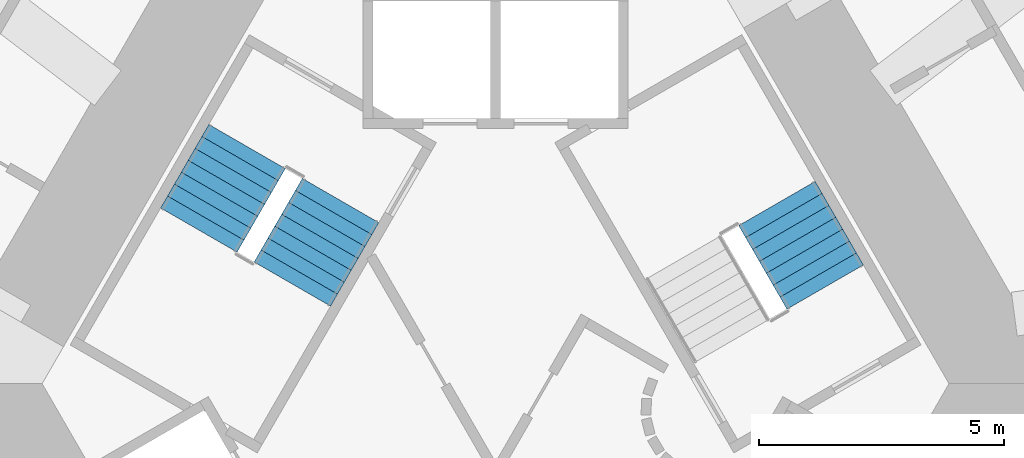
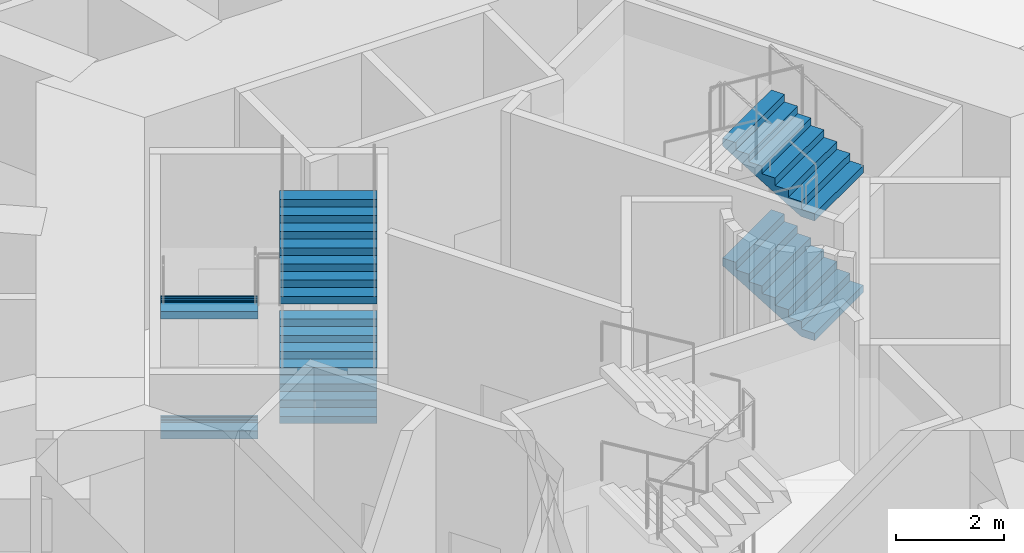
# One storey, part 10 of 16: 6 stair flights, 2 elements without a shape of their own.
"""IFC4 building model written with IfcOpenShell, lengths in metres."""

from ifc_helpers import new_model, si_unit, direction, frame, origin, place, context, subcontext, project, spatial, triangles, material, type_object, element, aggregate, save


model = new_model("IFC4")

# Units and contexts
model_context = context("Model", 3, precision=1e-05, world=origin(), true_north=direction((0.0, 1.0)))
body_context = subcontext(model_context, "Body", "Model", "MODEL_VIEW")
ifc_project = project(units=[si_unit("LENGTHUNIT", "METRE"), si_unit("AREAUNIT", "SQUARE_METRE"), si_unit("VOLUMEUNIT", "CUBIC_METRE"), si_unit("PLANEANGLEUNIT", "RADIAN"), si_unit("MASSUNIT", "GRAM", prefix="KILO")], contexts=[model_context])

# Site, building, storey
site_placement = place(None, origin())
site = spatial("IfcSite", under=ifc_project, at=site_placement, CompositionType="ELEMENT")
building_placement = place(site_placement, origin())
building = spatial("IfcBuilding", under=site, at=building_placement, Name="Entoto Arch Interchange Tower", CompositionType="ELEMENT")
storey_placement = place(building_placement, frame((0.0, 0.0, 281.0)))
storey = spatial("IfcBuildingStorey", under=building, at=storey_placement, Name="L65", CompositionType="ELEMENT", Elevation=281.0)

# Stair, stair flights
ifc_material = material(Name="Concrete C40/50", Category="concrete")
stair_type = type_object("IfcStairType", Name="EXIT STAIR RC 1800", PredefinedType="HALF_TURN_STAIR", material=ifc_material)
stair_1_placement = place(storey_placement, origin())
stair_1 = element("IfcStair", 1, at=stair_1_placement, inside=storey, type_object=stair_type, Name="L65 Exit stair NE", PredefinedType="HALF_TURN_STAIR")
stair_flight_type = type_object("IfcStairFlightType", Name="EXIT STAIR FLIGHT RC 1800", PredefinedType="STRAIGHT", material=ifc_material)
stair_flight_1_placement = place(storey_placement, frame((6.7138671875, 4.470947265625, 0.0), z_axis=(0.0, 0.0, 1.0), x_axis=(-0.5, 0.866025403784, 0.0)))
stair_flight_1 = element("IfcStairFlight", 2, at=stair_flight_1_placement, type_object=stair_flight_type, Name="ST-NE flight 1", NumberOfRisers=8, NumberOfTreads=7, PredefinedType="STRAIGHT", RiserHeight=0.16875, TreadLength=0.28, context=body_context, shape_type="Tessellation", body=[
    triangles([(-0.003, -0.900024, 0.0), (-0.003, -0.900024, 0.16875), (0.28, -0.900024, 0.16875), (0.28, -0.900024, 0.3375), (0.56, -0.900024, 0.3375), (0.56, -0.900024, 0.50625), (0.84, -0.900024, 0.50625), (0.84, -0.900024, 0.675), (1.12, -0.900024, 0.675), (1.12, -0.900024, 0.84375), (1.4, -0.900024, 0.84375), (1.4, -0.900024, 1.0125), (1.68, -0.900024, 1.0125), (1.68, -0.900024, 1.18125), (1.96, -0.900024, 1.18125), (1.963, -0.900024, 1.18125), (1.963, -0.900024, 1.008036), (0.290406, -0.900024, 0.0), (-0.003, 0.900024, 0.0), (-0.003, 0.900024, 0.16875), (0.28, 0.900024, 0.16875), (0.28, 0.900024, 0.3375), (0.56, 0.900024, 0.3375), (0.56, 0.900024, 0.50625), (0.84, 0.900024, 0.50625), (0.84, 0.900024, 0.675), (1.12, 0.900024, 0.675), (1.12, 0.900024, 0.84375), (1.4, 0.900024, 0.84375), (1.4, 0.900024, 1.0125), (1.68, 0.900024, 1.0125), (1.68, 0.900024, 1.18125), (1.96, 0.900024, 1.18125), (1.963, 0.900024, 1.18125), (1.963, 0.900024, 1.008036), (0.290406, 0.900024, 0.0), (-0.003, -0.450012, 0.0), (-0.003, -0.450012, 0.16875), (-0.003, 0.0, 0.0), (-0.003, 0.0, 0.16875), (-0.003, 0.450012, 0.0), (-0.003, 0.450012, 0.16875), (0.28, -0.450012, 0.16875), (0.28, 0.0, 0.16875), (0.28, 0.450012, 0.16875), (0.28, -0.450012, 0.3375), (0.28, 0.0, 0.3375), (0.28, 0.450012, 0.3375), (0.56, -0.450012, 0.3375), (0.56, 0.0, 0.3375), (0.56, 0.450012, 0.3375), (0.56, -0.450012, 0.50625), (0.56, 0.0, 0.50625), (0.56, 0.450012, 0.50625), (0.84, -0.450012, 0.50625), (0.84, 0.0, 0.50625), (0.84, 0.450012, 0.50625), (0.84, -0.450012, 0.675), (0.84, 0.0, 0.675), (0.84, 0.450012, 0.675), (1.12, -0.450012, 0.675), (1.12, 0.0, 0.675), (1.12, 0.450012, 0.675), (1.12, -0.450012, 0.84375), (1.12, 0.0, 0.84375), (1.12, 0.450012, 0.84375), (1.4, -0.450012, 0.84375), (1.4, 0.0, 0.84375), (1.4, 0.450012, 0.84375), (1.4, -0.450012, 1.0125), (1.4, 0.0, 1.0125), (1.4, 0.450012, 1.0125), (1.68, -0.450012, 1.0125), (1.68, 0.0, 1.0125), (1.68, 0.450012, 1.0125), (1.68, -0.450012, 1.18125), (1.68, 0.0, 1.18125), (1.68, 0.450012, 1.18125), (1.96, -0.450012, 1.18125), (1.96, 0.0, 1.18125), (1.96, 0.450012, 1.18125), (1.963, -0.450012, 1.18125), (1.963, 0.0, 1.18125), (1.963, 0.450012, 1.18125), (1.963, -0.450012, 1.008036), (1.963, 0.0, 1.008036), (1.963, 0.450012, 1.008036), (0.290406, -0.450012, 0.0), (0.290406, 0.0, 0.0), (0.290406, 0.450012, 0.0)], [[1, 18, 17], [17, 16, 15], [17, 15, 14], [17, 14, 13], [17, 13, 12], [17, 12, 11], [11, 10, 9], [17, 11, 9], [9, 8, 7], [17, 9, 7], [7, 6, 5], [17, 7, 5], [5, 4, 3], [17, 5, 3], [1, 17, 3], [3, 2, 1], [19, 35, 36], [35, 33, 34], [35, 32, 33], [35, 31, 32], [35, 30, 31], [35, 29, 30], [29, 27, 28], [35, 27, 29], [27, 25, 26], [35, 25, 27], [25, 23, 24], [35, 23, 25], [23, 21, 22], [35, 21, 23], [19, 21, 35], [21, 19, 20], [1, 2, 38], [1, 38, 37], [37, 38, 40], [37, 40, 39], [39, 40, 42], [39, 42, 41], [41, 42, 20], [41, 20, 19], [2, 3, 43], [2, 43, 38], [38, 43, 44], [38, 44, 40], [40, 44, 45], [40, 45, 42], [42, 45, 21], [42, 21, 20], [3, 4, 46], [3, 46, 43], [43, 46, 47], [43, 47, 44], [44, 47, 48], [44, 48, 45], [45, 48, 22], [45, 22, 21], [4, 5, 49], [4, 49, 46], [46, 49, 50], [46, 50, 47], [47, 50, 51], [47, 51, 48], [48, 51, 23], [48, 23, 22], [5, 6, 52], [5, 52, 49], [49, 52, 53], [49, 53, 50], [50, 53, 54], [50, 54, 51], [51, 54, 24], [51, 24, 23], [6, 7, 55], [6, 55, 52], [52, 55, 56], [52, 56, 53], [53, 56, 57], [53, 57, 54], [54, 57, 25], [54, 25, 24], [7, 8, 58], [7, 58, 55], [55, 58, 59], [55, 59, 56], [56, 59, 60], [56, 60, 57], [57, 60, 26], [57, 26, 25], [8, 9, 61], [8, 61, 58], [58, 61, 62], [58, 62, 59], [59, 62, 63], [59, 63, 60], [60, 63, 27], [60, 27, 26], [9, 10, 64], [9, 64, 61], [61, 64, 65], [61, 65, 62], [62, 65, 66], [62, 66, 63], [63, 66, 28], [63, 28, 27], [10, 11, 67], [10, 67, 64], [64, 67, 68], [64, 68, 65], [65, 68, 69], [65, 69, 66], [66, 69, 29], [66, 29, 28], [11, 12, 70], [11, 70, 67], [67, 70, 71], [67, 71, 68], [68, 71, 72], [68, 72, 69], [69, 72, 30], [69, 30, 29], [12, 13, 73], [12, 73, 70], [70, 73, 74], [70, 74, 71], [71, 74, 75], [71, 75, 72], [72, 75, 31], [72, 31, 30], [13, 14, 76], [13, 76, 73], [73, 76, 77], [73, 77, 74], [74, 77, 78], [74, 78, 75], [75, 78, 32], [75, 32, 31], [14, 15, 79], [14, 79, 76], [76, 79, 80], [76, 80, 77], [77, 80, 81], [77, 81, 78], [78, 81, 33], [78, 33, 32], [15, 16, 82], [15, 82, 79], [79, 82, 83], [79, 83, 80], [80, 83, 84], [80, 84, 81], [81, 84, 34], [81, 34, 33], [16, 17, 85], [16, 85, 82], [82, 85, 86], [82, 86, 83], [83, 86, 87], [83, 87, 84], [84, 87, 35], [84, 35, 34], [17, 18, 88], [17, 88, 85], [85, 88, 89], [85, 89, 86], [86, 89, 90], [86, 90, 87], [87, 90, 36], [87, 36, 35], [18, 1, 37], [18, 37, 88], [88, 37, 39], [88, 39, 89], [89, 39, 41], [89, 41, 90], [90, 41, 19], [90, 19, 36]], closed=True),
])
stair_flight_2_placement = place(storey_placement, frame((6.7138671875, 4.470947265625, 2.699951171875), z_axis=(0.0, 0.0, 1.0), x_axis=(-0.5, 0.866025403784, 0.0)))
stair_flight_2 = element("IfcStairFlight", 3, at=stair_flight_2_placement, type_object=stair_flight_type, Name="ST-NE flight 3", NumberOfRisers=8, NumberOfTreads=7, PredefinedType="STRAIGHT", RiserHeight=0.16875, TreadLength=0.28, context=body_context, shape_type="Tessellation", body=[
    triangles([(-0.003, -0.900024, 0.0), (-0.003, -0.900024, 0.16875), (0.28, -0.900024, 0.16875), (0.28, -0.900024, 0.3375), (0.56, -0.900024, 0.3375), (0.56, -0.900024, 0.50625), (0.84, -0.900024, 0.50625), (0.84, -0.900024, 0.675), (1.12, -0.900024, 0.675), (1.12, -0.900024, 0.84375), (1.4, -0.900024, 0.84375), (1.4, -0.900024, 1.0125), (1.68, -0.900024, 1.0125), (1.68, -0.900024, 1.18125), (1.96, -0.900024, 1.18125), (1.963, -0.900024, 1.18125), (1.963, -0.900024, 1.008036), (0.290406, -0.900024, 0.0), (-0.003, 0.900024, 0.0), (-0.003, 0.900024, 0.16875), (0.28, 0.900024, 0.16875), (0.28, 0.900024, 0.3375), (0.56, 0.900024, 0.3375), (0.56, 0.900024, 0.50625), (0.84, 0.900024, 0.50625), (0.84, 0.900024, 0.675), (1.12, 0.900024, 0.675), (1.12, 0.900024, 0.84375), (1.4, 0.900024, 0.84375), (1.4, 0.900024, 1.0125), (1.68, 0.900024, 1.0125), (1.68, 0.900024, 1.18125), (1.96, 0.900024, 1.18125), (1.963, 0.900024, 1.18125), (1.963, 0.900024, 1.008036), (0.290406, 0.900024, 0.0), (-0.003, -0.450012, 0.0), (-0.003, -0.450012, 0.16875), (-0.003, 0.0, 0.0), (-0.003, 0.0, 0.16875), (-0.003, 0.450012, 0.0), (-0.003, 0.450012, 0.16875), (0.28, -0.450012, 0.16875), (0.28, 0.0, 0.16875), (0.28, 0.450012, 0.16875), (0.28, -0.450012, 0.3375), (0.28, 0.0, 0.3375), (0.28, 0.450012, 0.3375), (0.56, -0.450012, 0.3375), (0.56, 0.0, 0.3375), (0.56, 0.450012, 0.3375), (0.56, -0.450012, 0.50625), (0.56, 0.0, 0.50625), (0.56, 0.450012, 0.50625), (0.84, -0.450012, 0.50625), (0.84, 0.0, 0.50625), (0.84, 0.450012, 0.50625), (0.84, -0.450012, 0.675), (0.84, 0.0, 0.675), (0.84, 0.450012, 0.675), (1.12, -0.450012, 0.675), (1.12, 0.0, 0.675), (1.12, 0.450012, 0.675), (1.12, -0.450012, 0.84375), (1.12, 0.0, 0.84375), (1.12, 0.450012, 0.84375), (1.4, -0.450012, 0.84375), (1.4, 0.0, 0.84375), (1.4, 0.450012, 0.84375), (1.4, -0.450012, 1.0125), (1.4, 0.0, 1.0125), (1.4, 0.450012, 1.0125), (1.68, -0.450012, 1.0125), (1.68, 0.0, 1.0125), (1.68, 0.450012, 1.0125), (1.68, -0.450012, 1.18125), (1.68, 0.0, 1.18125), (1.68, 0.450012, 1.18125), (1.96, -0.450012, 1.18125), (1.96, 0.0, 1.18125), (1.96, 0.450012, 1.18125), (1.963, -0.450012, 1.18125), (1.963, 0.0, 1.18125), (1.963, 0.450012, 1.18125), (1.963, -0.450012, 1.008036), (1.963, 0.0, 1.008036), (1.963, 0.450012, 1.008036), (0.290406, -0.450012, 0.0), (0.290406, 0.0, 0.0), (0.290406, 0.450012, 0.0)], [[1, 18, 17], [17, 16, 15], [17, 15, 14], [17, 14, 13], [17, 13, 12], [17, 12, 11], [11, 10, 9], [17, 11, 9], [9, 8, 7], [17, 9, 7], [7, 6, 5], [17, 7, 5], [5, 4, 3], [17, 5, 3], [1, 17, 3], [3, 2, 1], [19, 35, 36], [35, 33, 34], [35, 32, 33], [35, 31, 32], [35, 30, 31], [35, 29, 30], [29, 27, 28], [35, 27, 29], [27, 25, 26], [35, 25, 27], [25, 23, 24], [35, 23, 25], [23, 21, 22], [35, 21, 23], [19, 21, 35], [21, 19, 20], [1, 2, 38], [1, 38, 37], [37, 38, 40], [37, 40, 39], [39, 40, 42], [39, 42, 41], [41, 42, 20], [41, 20, 19], [2, 3, 43], [2, 43, 38], [38, 43, 44], [38, 44, 40], [40, 44, 45], [40, 45, 42], [42, 45, 21], [42, 21, 20], [3, 4, 46], [3, 46, 43], [43, 46, 47], [43, 47, 44], [44, 47, 48], [44, 48, 45], [45, 48, 22], [45, 22, 21], [4, 5, 49], [4, 49, 46], [46, 49, 50], [46, 50, 47], [47, 50, 51], [47, 51, 48], [48, 51, 23], [48, 23, 22], [5, 6, 52], [5, 52, 49], [49, 52, 53], [49, 53, 50], [50, 53, 54], [50, 54, 51], [51, 54, 24], [51, 24, 23], [6, 7, 55], [6, 55, 52], [52, 55, 56], [52, 56, 53], [53, 56, 57], [53, 57, 54], [54, 57, 25], [54, 25, 24], [7, 8, 58], [7, 58, 55], [55, 58, 59], [55, 59, 56], [56, 59, 60], [56, 60, 57], [57, 60, 26], [57, 26, 25], [8, 9, 61], [8, 61, 58], [58, 61, 62], [58, 62, 59], [59, 62, 63], [59, 63, 60], [60, 63, 27], [60, 27, 26], [9, 10, 64], [9, 64, 61], [61, 64, 65], [61, 65, 62], [62, 65, 66], [62, 66, 63], [63, 66, 28], [63, 28, 27], [10, 11, 67], [10, 67, 64], [64, 67, 68], [64, 68, 65], [65, 68, 69], [65, 69, 66], [66, 69, 29], [66, 29, 28], [11, 12, 70], [11, 70, 67], [67, 70, 71], [67, 71, 68], [68, 71, 72], [68, 72, 69], [69, 72, 30], [69, 30, 29], [12, 13, 73], [12, 73, 70], [70, 73, 74], [70, 74, 71], [71, 74, 75], [71, 75, 72], [72, 75, 31], [72, 31, 30], [13, 14, 76], [13, 76, 73], [73, 76, 77], [73, 77, 74], [74, 77, 78], [74, 78, 75], [75, 78, 32], [75, 32, 31], [14, 15, 79], [14, 79, 76], [76, 79, 80], [76, 80, 77], [77, 80, 81], [77, 81, 78], [78, 81, 33], [78, 33, 32], [15, 16, 82], [15, 82, 79], [79, 82, 83], [79, 83, 80], [80, 83, 84], [80, 84, 81], [81, 84, 34], [81, 34, 33], [16, 17, 85], [16, 85, 82], [82, 85, 86], [82, 86, 83], [83, 86, 87], [83, 87, 84], [84, 87, 35], [84, 35, 34], [17, 18, 88], [17, 88, 85], [85, 88, 89], [85, 89, 86], [86, 89, 90], [86, 90, 87], [87, 90, 36], [87, 36, 35], [18, 1, 37], [18, 37, 88], [88, 37, 39], [88, 39, 89], [89, 39, 41], [89, 41, 90], [90, 41, 19], [90, 19, 36]], closed=True),
])
aggregate(stair_1, [stair_flight_1, stair_flight_2])

stair_2_placement = place(storey_placement, origin())
stair_2 = element("IfcStair", 4, at=stair_2_placement, inside=storey, type_object=stair_type, Name="L65 Exit stair NW", PredefinedType="HALF_TURN_STAIR")
stair_flight_3_placement = place(storey_placement, frame((-5.06396484375, 7.328857421875, 0.0), z_axis=(0.0, 0.0, 1.0), x_axis=(-0.5, -0.866025403784, 0.0)))
stair_flight_3 = element("IfcStairFlight", 5, at=stair_flight_3_placement, type_object=stair_flight_type, Name="ST-NW flight 1", NumberOfRisers=8, NumberOfTreads=7, PredefinedType="STRAIGHT", RiserHeight=0.16875, TreadLength=0.28, context=body_context, shape_type="Tessellation", body=[
    triangles([(-0.003, -0.900024, 0.0), (-0.003, -0.900024, 0.16875), (0.28, -0.900024, 0.16875), (0.28, -0.900024, 0.3375), (0.56, -0.900024, 0.3375), (0.56, -0.900024, 0.50625), (0.84, -0.900024, 0.50625), (0.84, -0.900024, 0.675), (1.12, -0.900024, 0.675), (1.12, -0.900024, 0.84375), (1.4, -0.900024, 0.84375), (1.4, -0.900024, 1.0125), (1.68, -0.900024, 1.0125), (1.68, -0.900024, 1.18125), (1.96, -0.900024, 1.18125), (1.963, -0.900024, 1.18125), (1.963, -0.900024, 1.008036), (0.290406, -0.900024, 0.0), (-0.003, 0.900024, 0.0), (-0.003, 0.900024, 0.16875), (0.28, 0.900024, 0.16875), (0.28, 0.900024, 0.3375), (0.56, 0.900024, 0.3375), (0.56, 0.900024, 0.50625), (0.84, 0.900024, 0.50625), (0.84, 0.900024, 0.675), (1.12, 0.900024, 0.675), (1.12, 0.900024, 0.84375), (1.4, 0.900024, 0.84375), (1.4, 0.900024, 1.0125), (1.68, 0.900024, 1.0125), (1.68, 0.900024, 1.18125), (1.96, 0.900024, 1.18125), (1.963, 0.900024, 1.18125), (1.963, 0.900024, 1.008036), (0.290406, 0.900024, 0.0), (-0.003, -0.450012, 0.0), (-0.003, -0.450012, 0.16875), (-0.003, 0.0, 0.0), (-0.003, 0.0, 0.16875), (-0.003, 0.450012, 0.0), (-0.003, 0.450012, 0.16875), (0.28, -0.450012, 0.16875), (0.28, 0.0, 0.16875), (0.28, 0.450012, 0.16875), (0.28, -0.450012, 0.3375), (0.28, 0.0, 0.3375), (0.28, 0.450012, 0.3375), (0.56, -0.450012, 0.3375), (0.56, 0.0, 0.3375), (0.56, 0.450012, 0.3375), (0.56, -0.450012, 0.50625), (0.56, 0.0, 0.50625), (0.56, 0.450012, 0.50625), (0.84, -0.450012, 0.50625), (0.84, 0.0, 0.50625), (0.84, 0.450012, 0.50625), (0.84, -0.450012, 0.675), (0.84, 0.0, 0.675), (0.84, 0.450012, 0.675), (1.12, -0.450012, 0.675), (1.12, 0.0, 0.675), (1.12, 0.450012, 0.675), (1.12, -0.450012, 0.84375), (1.12, 0.0, 0.84375), (1.12, 0.450012, 0.84375), (1.4, -0.450012, 0.84375), (1.4, 0.0, 0.84375), (1.4, 0.450012, 0.84375), (1.4, -0.450012, 1.0125), (1.4, 0.0, 1.0125), (1.4, 0.450012, 1.0125), (1.68, -0.450012, 1.0125), (1.68, 0.0, 1.0125), (1.68, 0.450012, 1.0125), (1.68, -0.450012, 1.18125), (1.68, 0.0, 1.18125), (1.68, 0.450012, 1.18125), (1.96, -0.450012, 1.18125), (1.96, 0.0, 1.18125), (1.96, 0.450012, 1.18125), (1.963, -0.450012, 1.18125), (1.963, 0.0, 1.18125), (1.963, 0.450012, 1.18125), (1.963, -0.450012, 1.008036), (1.963, 0.0, 1.008036), (1.963, 0.450012, 1.008036), (0.290406, -0.450012, 0.0), (0.290406, 0.0, 0.0), (0.290406, 0.450012, 0.0)], [[1, 18, 17], [17, 16, 15], [17, 15, 14], [17, 14, 13], [17, 13, 12], [17, 12, 11], [11, 10, 9], [17, 11, 9], [9, 8, 7], [17, 9, 7], [7, 6, 5], [17, 7, 5], [5, 4, 3], [17, 5, 3], [1, 17, 3], [3, 2, 1], [19, 35, 36], [35, 33, 34], [35, 32, 33], [35, 31, 32], [35, 30, 31], [35, 29, 30], [29, 27, 28], [35, 27, 29], [27, 25, 26], [35, 25, 27], [25, 23, 24], [35, 23, 25], [23, 21, 22], [35, 21, 23], [19, 21, 35], [21, 19, 20], [1, 2, 38], [1, 38, 37], [37, 38, 40], [37, 40, 39], [39, 40, 42], [39, 42, 41], [41, 42, 20], [41, 20, 19], [2, 3, 43], [2, 43, 38], [38, 43, 44], [38, 44, 40], [40, 44, 45], [40, 45, 42], [42, 45, 21], [42, 21, 20], [3, 4, 46], [3, 46, 43], [43, 46, 47], [43, 47, 44], [44, 47, 48], [44, 48, 45], [45, 48, 22], [45, 22, 21], [4, 5, 49], [4, 49, 46], [46, 49, 50], [46, 50, 47], [47, 50, 51], [47, 51, 48], [48, 51, 23], [48, 23, 22], [5, 6, 52], [5, 52, 49], [49, 52, 53], [49, 53, 50], [50, 53, 54], [50, 54, 51], [51, 54, 24], [51, 24, 23], [6, 7, 55], [6, 55, 52], [52, 55, 56], [52, 56, 53], [53, 56, 57], [53, 57, 54], [54, 57, 25], [54, 25, 24], [7, 8, 58], [7, 58, 55], [55, 58, 59], [55, 59, 56], [56, 59, 60], [56, 60, 57], [57, 60, 26], [57, 26, 25], [8, 9, 61], [8, 61, 58], [58, 61, 62], [58, 62, 59], [59, 62, 63], [59, 63, 60], [60, 63, 27], [60, 27, 26], [9, 10, 64], [9, 64, 61], [61, 64, 65], [61, 65, 62], [62, 65, 66], [62, 66, 63], [63, 66, 28], [63, 28, 27], [10, 11, 67], [10, 67, 64], [64, 67, 68], [64, 68, 65], [65, 68, 69], [65, 69, 66], [66, 69, 29], [66, 29, 28], [11, 12, 70], [11, 70, 67], [67, 70, 71], [67, 71, 68], [68, 71, 72], [68, 72, 69], [69, 72, 30], [69, 30, 29], [12, 13, 73], [12, 73, 70], [70, 73, 74], [70, 74, 71], [71, 74, 75], [71, 75, 72], [72, 75, 31], [72, 31, 30], [13, 14, 76], [13, 76, 73], [73, 76, 77], [73, 77, 74], [74, 77, 78], [74, 78, 75], [75, 78, 32], [75, 32, 31], [14, 15, 79], [14, 79, 76], [76, 79, 80], [76, 80, 77], [77, 80, 81], [77, 81, 78], [78, 81, 33], [78, 33, 32], [15, 16, 82], [15, 82, 79], [79, 82, 83], [79, 83, 80], [80, 83, 84], [80, 84, 81], [81, 84, 34], [81, 34, 33], [16, 17, 85], [16, 85, 82], [82, 85, 86], [82, 86, 83], [83, 86, 87], [83, 87, 84], [84, 87, 35], [84, 35, 34], [17, 18, 88], [17, 88, 85], [85, 88, 89], [85, 89, 86], [86, 89, 90], [86, 90, 87], [87, 90, 36], [87, 36, 35], [18, 1, 37], [18, 37, 88], [88, 37, 39], [88, 39, 89], [89, 39, 41], [89, 41, 90], [90, 41, 19], [90, 19, 36]], closed=True),
])
stair_flight_4_placement = place(storey_placement, frame((-4.138671875, 4.531494140625, 1.35009765625), z_axis=(0.0, 0.0, 1.0), x_axis=(0.5, 0.866025403784, 0.0)))
stair_flight_4 = element("IfcStairFlight", 6, at=stair_flight_4_placement, type_object=stair_flight_type, Name="ST-NW flight 2", NumberOfRisers=8, NumberOfTreads=7, PredefinedType="STRAIGHT", RiserHeight=0.16875, TreadLength=0.28, context=body_context, shape_type="Tessellation", body=[
    triangles([(-0.003, -0.900024, 0.0), (-0.003, -0.900024, 0.16875), (0.28, -0.900024, 0.16875), (0.28, -0.900024, 0.3375), (0.56, -0.900024, 0.3375), (0.56, -0.900024, 0.50625), (0.84, -0.900024, 0.50625), (0.84, -0.900024, 0.675), (1.12, -0.900024, 0.675), (1.12, -0.900024, 0.84375), (1.4, -0.900024, 0.84375), (1.4, -0.900024, 1.0125), (1.68, -0.900024, 1.0125), (1.68, -0.900024, 1.18125), (1.96, -0.900024, 1.18125), (1.963, -0.900024, 1.18125), (1.963, -0.900024, 1.008036), (0.290406, -0.900024, 0.0), (-0.003, 0.900024, 0.0), (-0.003, 0.900024, 0.16875), (0.28, 0.900024, 0.16875), (0.28, 0.900024, 0.3375), (0.56, 0.900024, 0.3375), (0.56, 0.900024, 0.50625), (0.84, 0.900024, 0.50625), (0.84, 0.900024, 0.675), (1.12, 0.900024, 0.675), (1.12, 0.900024, 0.84375), (1.4, 0.900024, 0.84375), (1.4, 0.900024, 1.0125), (1.68, 0.900024, 1.0125), (1.68, 0.900024, 1.18125), (1.96, 0.900024, 1.18125), (1.963, 0.900024, 1.18125), (1.963, 0.900024, 1.008036), (0.290406, 0.900024, 0.0), (-0.003, -0.450012, 0.0), (-0.003, -0.450012, 0.16875), (-0.003, 0.0, 0.0), (-0.003, 0.0, 0.16875), (-0.003, 0.450012, 0.0), (-0.003, 0.450012, 0.16875), (0.28, -0.450012, 0.16875), (0.28, 0.0, 0.16875), (0.28, 0.450012, 0.16875), (0.28, -0.450012, 0.3375), (0.28, 0.0, 0.3375), (0.28, 0.450012, 0.3375), (0.56, -0.450012, 0.3375), (0.56, 0.0, 0.3375), (0.56, 0.450012, 0.3375), (0.56, -0.450012, 0.50625), (0.56, 0.0, 0.50625), (0.56, 0.450012, 0.50625), (0.84, -0.450012, 0.50625), (0.84, 0.0, 0.50625), (0.84, 0.450012, 0.50625), (0.84, -0.450012, 0.675), (0.84, 0.0, 0.675), (0.84, 0.450012, 0.675), (1.12, -0.450012, 0.675), (1.12, 0.0, 0.675), (1.12, 0.450012, 0.675), (1.12, -0.450012, 0.84375), (1.12, 0.0, 0.84375), (1.12, 0.450012, 0.84375), (1.4, -0.450012, 0.84375), (1.4, 0.0, 0.84375), (1.4, 0.450012, 0.84375), (1.4, -0.450012, 1.0125), (1.4, 0.0, 1.0125), (1.4, 0.450012, 1.0125), (1.68, -0.450012, 1.0125), (1.68, 0.0, 1.0125), (1.68, 0.450012, 1.0125), (1.68, -0.450012, 1.18125), (1.68, 0.0, 1.18125), (1.68, 0.450012, 1.18125), (1.96, -0.450012, 1.18125), (1.96, 0.0, 1.18125), (1.96, 0.450012, 1.18125), (1.963, -0.450012, 1.18125), (1.963, 0.0, 1.18125), (1.963, 0.450012, 1.18125), (1.963, -0.450012, 1.008036), (1.963, 0.0, 1.008036), (1.963, 0.450012, 1.008036), (0.290406, -0.450012, 0.0), (0.290406, 0.0, 0.0), (0.290406, 0.450012, 0.0)], [[1, 18, 17], [17, 16, 15], [17, 15, 14], [17, 14, 13], [17, 13, 12], [17, 12, 11], [11, 10, 9], [17, 11, 9], [9, 8, 7], [17, 9, 7], [7, 6, 5], [17, 7, 5], [5, 4, 3], [17, 5, 3], [1, 17, 3], [3, 2, 1], [19, 35, 36], [35, 33, 34], [35, 32, 33], [35, 31, 32], [35, 30, 31], [35, 29, 30], [29, 27, 28], [35, 27, 29], [27, 25, 26], [35, 25, 27], [25, 23, 24], [35, 23, 25], [23, 21, 22], [35, 21, 23], [19, 21, 35], [21, 19, 20], [1, 2, 38], [1, 38, 37], [37, 38, 40], [37, 40, 39], [39, 40, 42], [39, 42, 41], [41, 42, 20], [41, 20, 19], [2, 3, 43], [2, 43, 38], [38, 43, 44], [38, 44, 40], [40, 44, 45], [40, 45, 42], [42, 45, 21], [42, 21, 20], [3, 4, 46], [3, 46, 43], [43, 46, 47], [43, 47, 44], [44, 47, 48], [44, 48, 45], [45, 48, 22], [45, 22, 21], [4, 5, 49], [4, 49, 46], [46, 49, 50], [46, 50, 47], [47, 50, 51], [47, 51, 48], [48, 51, 23], [48, 23, 22], [5, 6, 52], [5, 52, 49], [49, 52, 53], [49, 53, 50], [50, 53, 54], [50, 54, 51], [51, 54, 24], [51, 24, 23], [6, 7, 55], [6, 55, 52], [52, 55, 56], [52, 56, 53], [53, 56, 57], [53, 57, 54], [54, 57, 25], [54, 25, 24], [7, 8, 58], [7, 58, 55], [55, 58, 59], [55, 59, 56], [56, 59, 60], [56, 60, 57], [57, 60, 26], [57, 26, 25], [8, 9, 61], [8, 61, 58], [58, 61, 62], [58, 62, 59], [59, 62, 63], [59, 63, 60], [60, 63, 27], [60, 27, 26], [9, 10, 64], [9, 64, 61], [61, 64, 65], [61, 65, 62], [62, 65, 66], [62, 66, 63], [63, 66, 28], [63, 28, 27], [10, 11, 67], [10, 67, 64], [64, 67, 68], [64, 68, 65], [65, 68, 69], [65, 69, 66], [66, 69, 29], [66, 29, 28], [11, 12, 70], [11, 70, 67], [67, 70, 71], [67, 71, 68], [68, 71, 72], [68, 72, 69], [69, 72, 30], [69, 30, 29], [12, 13, 73], [12, 73, 70], [70, 73, 74], [70, 74, 71], [71, 74, 75], [71, 75, 72], [72, 75, 31], [72, 31, 30], [13, 14, 76], [13, 76, 73], [73, 76, 77], [73, 77, 74], [74, 77, 78], [74, 78, 75], [75, 78, 32], [75, 32, 31], [14, 15, 79], [14, 79, 76], [76, 79, 80], [76, 80, 77], [77, 80, 81], [77, 81, 78], [78, 81, 33], [78, 33, 32], [15, 16, 82], [15, 82, 79], [79, 82, 83], [79, 83, 80], [80, 83, 84], [80, 84, 81], [81, 84, 34], [81, 34, 33], [16, 17, 85], [16, 85, 82], [82, 85, 86], [82, 86, 83], [83, 86, 87], [83, 87, 84], [84, 87, 35], [84, 35, 34], [17, 18, 88], [17, 88, 85], [85, 88, 89], [85, 89, 86], [86, 89, 90], [86, 90, 87], [87, 90, 36], [87, 36, 35], [18, 1, 37], [18, 37, 88], [88, 37, 39], [88, 39, 89], [89, 39, 41], [89, 41, 90], [90, 41, 19], [90, 19, 36]], closed=True),
])
stair_flight_5_placement = place(storey_placement, frame((-5.06396484375, 7.328857421875, 2.699951171875), z_axis=(0.0, 0.0, 1.0), x_axis=(-0.5, -0.866025403784, 0.0)))
stair_flight_5 = element("IfcStairFlight", 7, at=stair_flight_5_placement, type_object=stair_flight_type, Name="ST-NW flight 3", NumberOfRisers=8, NumberOfTreads=7, PredefinedType="STRAIGHT", RiserHeight=0.16875, TreadLength=0.28, context=body_context, shape_type="Tessellation", body=[
    triangles([(-0.003, -0.900024, 0.0), (-0.003, -0.900024, 0.16875), (0.28, -0.900024, 0.16875), (0.28, -0.900024, 0.3375), (0.56, -0.900024, 0.3375), (0.56, -0.900024, 0.50625), (0.84, -0.900024, 0.50625), (0.84, -0.900024, 0.675), (1.12, -0.900024, 0.675), (1.12, -0.900024, 0.84375), (1.4, -0.900024, 0.84375), (1.4, -0.900024, 1.0125), (1.68, -0.900024, 1.0125), (1.68, -0.900024, 1.18125), (1.96, -0.900024, 1.18125), (1.963, -0.900024, 1.18125), (1.963, -0.900024, 1.008036), (0.290406, -0.900024, 0.0), (-0.003, 0.900024, 0.0), (-0.003, 0.900024, 0.16875), (0.28, 0.900024, 0.16875), (0.28, 0.900024, 0.3375), (0.56, 0.900024, 0.3375), (0.56, 0.900024, 0.50625), (0.84, 0.900024, 0.50625), (0.84, 0.900024, 0.675), (1.12, 0.900024, 0.675), (1.12, 0.900024, 0.84375), (1.4, 0.900024, 0.84375), (1.4, 0.900024, 1.0125), (1.68, 0.900024, 1.0125), (1.68, 0.900024, 1.18125), (1.96, 0.900024, 1.18125), (1.963, 0.900024, 1.18125), (1.963, 0.900024, 1.008036), (0.290406, 0.900024, 0.0), (-0.003, -0.450012, 0.0), (-0.003, -0.450012, 0.16875), (-0.003, 0.0, 0.0), (-0.003, 0.0, 0.16875), (-0.003, 0.450012, 0.0), (-0.003, 0.450012, 0.16875), (0.28, -0.450012, 0.16875), (0.28, 0.0, 0.16875), (0.28, 0.450012, 0.16875), (0.28, -0.450012, 0.3375), (0.28, 0.0, 0.3375), (0.28, 0.450012, 0.3375), (0.56, -0.450012, 0.3375), (0.56, 0.0, 0.3375), (0.56, 0.450012, 0.3375), (0.56, -0.450012, 0.50625), (0.56, 0.0, 0.50625), (0.56, 0.450012, 0.50625), (0.84, -0.450012, 0.50625), (0.84, 0.0, 0.50625), (0.84, 0.450012, 0.50625), (0.84, -0.450012, 0.675), (0.84, 0.0, 0.675), (0.84, 0.450012, 0.675), (1.12, -0.450012, 0.675), (1.12, 0.0, 0.675), (1.12, 0.450012, 0.675), (1.12, -0.450012, 0.84375), (1.12, 0.0, 0.84375), (1.12, 0.450012, 0.84375), (1.4, -0.450012, 0.84375), (1.4, 0.0, 0.84375), (1.4, 0.450012, 0.84375), (1.4, -0.450012, 1.0125), (1.4, 0.0, 1.0125), (1.4, 0.450012, 1.0125), (1.68, -0.450012, 1.0125), (1.68, 0.0, 1.0125), (1.68, 0.450012, 1.0125), (1.68, -0.450012, 1.18125), (1.68, 0.0, 1.18125), (1.68, 0.450012, 1.18125), (1.96, -0.450012, 1.18125), (1.96, 0.0, 1.18125), (1.96, 0.450012, 1.18125), (1.963, -0.450012, 1.18125), (1.963, 0.0, 1.18125), (1.963, 0.450012, 1.18125), (1.963, -0.450012, 1.008036), (1.963, 0.0, 1.008036), (1.963, 0.450012, 1.008036), (0.290406, -0.450012, 0.0), (0.290406, 0.0, 0.0), (0.290406, 0.450012, 0.0)], [[1, 18, 17], [17, 16, 15], [17, 15, 14], [17, 14, 13], [17, 13, 12], [17, 12, 11], [11, 10, 9], [17, 11, 9], [9, 8, 7], [17, 9, 7], [7, 6, 5], [17, 7, 5], [5, 4, 3], [17, 5, 3], [1, 17, 3], [3, 2, 1], [19, 35, 36], [35, 33, 34], [35, 32, 33], [35, 31, 32], [35, 30, 31], [35, 29, 30], [29, 27, 28], [35, 27, 29], [27, 25, 26], [35, 25, 27], [25, 23, 24], [35, 23, 25], [23, 21, 22], [35, 21, 23], [19, 21, 35], [21, 19, 20], [1, 2, 38], [1, 38, 37], [37, 38, 40], [37, 40, 39], [39, 40, 42], [39, 42, 41], [41, 42, 20], [41, 20, 19], [2, 3, 43], [2, 43, 38], [38, 43, 44], [38, 44, 40], [40, 44, 45], [40, 45, 42], [42, 45, 21], [42, 21, 20], [3, 4, 46], [3, 46, 43], [43, 46, 47], [43, 47, 44], [44, 47, 48], [44, 48, 45], [45, 48, 22], [45, 22, 21], [4, 5, 49], [4, 49, 46], [46, 49, 50], [46, 50, 47], [47, 50, 51], [47, 51, 48], [48, 51, 23], [48, 23, 22], [5, 6, 52], [5, 52, 49], [49, 52, 53], [49, 53, 50], [50, 53, 54], [50, 54, 51], [51, 54, 24], [51, 24, 23], [6, 7, 55], [6, 55, 52], [52, 55, 56], [52, 56, 53], [53, 56, 57], [53, 57, 54], [54, 57, 25], [54, 25, 24], [7, 8, 58], [7, 58, 55], [55, 58, 59], [55, 59, 56], [56, 59, 60], [56, 60, 57], [57, 60, 26], [57, 26, 25], [8, 9, 61], [8, 61, 58], [58, 61, 62], [58, 62, 59], [59, 62, 63], [59, 63, 60], [60, 63, 27], [60, 27, 26], [9, 10, 64], [9, 64, 61], [61, 64, 65], [61, 65, 62], [62, 65, 66], [62, 66, 63], [63, 66, 28], [63, 28, 27], [10, 11, 67], [10, 67, 64], [64, 67, 68], [64, 68, 65], [65, 68, 69], [65, 69, 66], [66, 69, 29], [66, 29, 28], [11, 12, 70], [11, 70, 67], [67, 70, 71], [67, 71, 68], [68, 71, 72], [68, 72, 69], [69, 72, 30], [69, 30, 29], [12, 13, 73], [12, 73, 70], [70, 73, 74], [70, 74, 71], [71, 74, 75], [71, 75, 72], [72, 75, 31], [72, 31, 30], [13, 14, 76], [13, 76, 73], [73, 76, 77], [73, 77, 74], [74, 77, 78], [74, 78, 75], [75, 78, 32], [75, 32, 31], [14, 15, 79], [14, 79, 76], [76, 79, 80], [76, 80, 77], [77, 80, 81], [77, 81, 78], [78, 81, 33], [78, 33, 32], [15, 16, 82], [15, 82, 79], [79, 82, 83], [79, 83, 80], [80, 83, 84], [80, 84, 81], [81, 84, 34], [81, 34, 33], [16, 17, 85], [16, 85, 82], [82, 85, 86], [82, 86, 83], [83, 86, 87], [83, 87, 84], [84, 87, 35], [84, 35, 34], [17, 18, 88], [17, 88, 85], [85, 88, 89], [85, 89, 86], [86, 89, 90], [86, 90, 87], [87, 90, 36], [87, 36, 35], [18, 1, 37], [18, 37, 88], [88, 37, 39], [88, 39, 89], [89, 39, 41], [89, 41, 90], [90, 41, 19], [90, 19, 36]], closed=True),
])
stair_flight_6_placement = place(storey_placement, frame((-4.138671875, 4.531494140625, 4.050048828125), z_axis=(0.0, 0.0, 1.0), x_axis=(0.5, 0.866025403784, 0.0)))
stair_flight_6 = element("IfcStairFlight", 8, at=stair_flight_6_placement, type_object=stair_flight_type, Name="ST-NW flight 4", NumberOfRisers=8, NumberOfTreads=7, PredefinedType="STRAIGHT", RiserHeight=0.16875, TreadLength=0.28, context=body_context, shape_type="Tessellation", body=[
    triangles([(-0.003, -0.900024, 0.0), (-0.003, -0.900024, 0.16875), (0.28, -0.900024, 0.16875), (0.28, -0.900024, 0.3375), (0.56, -0.900024, 0.3375), (0.56, -0.900024, 0.50625), (0.84, -0.900024, 0.50625), (0.84, -0.900024, 0.675), (1.12, -0.900024, 0.675), (1.12, -0.900024, 0.84375), (1.4, -0.900024, 0.84375), (1.4, -0.900024, 1.0125), (1.68, -0.900024, 1.0125), (1.68, -0.900024, 1.18125), (1.96, -0.900024, 1.18125), (1.963, -0.900024, 1.18125), (1.963, -0.900024, 1.008036), (0.290406, -0.900024, 0.0), (-0.003, 0.900024, 0.0), (-0.003, 0.900024, 0.16875), (0.28, 0.900024, 0.16875), (0.28, 0.900024, 0.3375), (0.56, 0.900024, 0.3375), (0.56, 0.900024, 0.50625), (0.84, 0.900024, 0.50625), (0.84, 0.900024, 0.675), (1.12, 0.900024, 0.675), (1.12, 0.900024, 0.84375), (1.4, 0.900024, 0.84375), (1.4, 0.900024, 1.0125), (1.68, 0.900024, 1.0125), (1.68, 0.900024, 1.18125), (1.96, 0.900024, 1.18125), (1.963, 0.900024, 1.18125), (1.963, 0.900024, 1.008036), (0.290406, 0.900024, 0.0), (-0.003, -0.450012, 0.0), (-0.003, -0.450012, 0.16875), (-0.003, 0.0, 0.0), (-0.003, 0.0, 0.16875), (-0.003, 0.450012, 0.0), (-0.003, 0.450012, 0.16875), (0.28, -0.450012, 0.16875), (0.28, 0.0, 0.16875), (0.28, 0.450012, 0.16875), (0.28, -0.450012, 0.3375), (0.28, 0.0, 0.3375), (0.28, 0.450012, 0.3375), (0.56, -0.450012, 0.3375), (0.56, 0.0, 0.3375), (0.56, 0.450012, 0.3375), (0.56, -0.450012, 0.50625), (0.56, 0.0, 0.50625), (0.56, 0.450012, 0.50625), (0.84, -0.450012, 0.50625), (0.84, 0.0, 0.50625), (0.84, 0.450012, 0.50625), (0.84, -0.450012, 0.675), (0.84, 0.0, 0.675), (0.84, 0.450012, 0.675), (1.12, -0.450012, 0.675), (1.12, 0.0, 0.675), (1.12, 0.450012, 0.675), (1.12, -0.450012, 0.84375), (1.12, 0.0, 0.84375), (1.12, 0.450012, 0.84375), (1.4, -0.450012, 0.84375), (1.4, 0.0, 0.84375), (1.4, 0.450012, 0.84375), (1.4, -0.450012, 1.0125), (1.4, 0.0, 1.0125), (1.4, 0.450012, 1.0125), (1.68, -0.450012, 1.0125), (1.68, 0.0, 1.0125), (1.68, 0.450012, 1.0125), (1.68, -0.450012, 1.18125), (1.68, 0.0, 1.18125), (1.68, 0.450012, 1.18125), (1.96, -0.450012, 1.18125), (1.96, 0.0, 1.18125), (1.96, 0.450012, 1.18125), (1.963, -0.450012, 1.18125), (1.963, 0.0, 1.18125), (1.963, 0.450012, 1.18125), (1.963, -0.450012, 1.008036), (1.963, 0.0, 1.008036), (1.963, 0.450012, 1.008036), (0.290406, -0.450012, 0.0), (0.290406, 0.0, 0.0), (0.290406, 0.450012, 0.0)], [[1, 18, 17], [17, 16, 15], [17, 15, 14], [17, 14, 13], [17, 13, 12], [17, 12, 11], [11, 10, 9], [17, 11, 9], [9, 8, 7], [17, 9, 7], [7, 6, 5], [17, 7, 5], [5, 4, 3], [17, 5, 3], [1, 17, 3], [3, 2, 1], [19, 35, 36], [35, 33, 34], [35, 32, 33], [35, 31, 32], [35, 30, 31], [35, 29, 30], [29, 27, 28], [35, 27, 29], [27, 25, 26], [35, 25, 27], [25, 23, 24], [35, 23, 25], [23, 21, 22], [35, 21, 23], [19, 21, 35], [21, 19, 20], [1, 2, 38], [1, 38, 37], [37, 38, 40], [37, 40, 39], [39, 40, 42], [39, 42, 41], [41, 42, 20], [41, 20, 19], [2, 3, 43], [2, 43, 38], [38, 43, 44], [38, 44, 40], [40, 44, 45], [40, 45, 42], [42, 45, 21], [42, 21, 20], [3, 4, 46], [3, 46, 43], [43, 46, 47], [43, 47, 44], [44, 47, 48], [44, 48, 45], [45, 48, 22], [45, 22, 21], [4, 5, 49], [4, 49, 46], [46, 49, 50], [46, 50, 47], [47, 50, 51], [47, 51, 48], [48, 51, 23], [48, 23, 22], [5, 6, 52], [5, 52, 49], [49, 52, 53], [49, 53, 50], [50, 53, 54], [50, 54, 51], [51, 54, 24], [51, 24, 23], [6, 7, 55], [6, 55, 52], [52, 55, 56], [52, 56, 53], [53, 56, 57], [53, 57, 54], [54, 57, 25], [54, 25, 24], [7, 8, 58], [7, 58, 55], [55, 58, 59], [55, 59, 56], [56, 59, 60], [56, 60, 57], [57, 60, 26], [57, 26, 25], [8, 9, 61], [8, 61, 58], [58, 61, 62], [58, 62, 59], [59, 62, 63], [59, 63, 60], [60, 63, 27], [60, 27, 26], [9, 10, 64], [9, 64, 61], [61, 64, 65], [61, 65, 62], [62, 65, 66], [62, 66, 63], [63, 66, 28], [63, 28, 27], [10, 11, 67], [10, 67, 64], [64, 67, 68], [64, 68, 65], [65, 68, 69], [65, 69, 66], [66, 69, 29], [66, 29, 28], [11, 12, 70], [11, 70, 67], [67, 70, 71], [67, 71, 68], [68, 71, 72], [68, 72, 69], [69, 72, 30], [69, 30, 29], [12, 13, 73], [12, 73, 70], [70, 73, 74], [70, 74, 71], [71, 74, 75], [71, 75, 72], [72, 75, 31], [72, 31, 30], [13, 14, 76], [13, 76, 73], [73, 76, 77], [73, 77, 74], [74, 77, 78], [74, 78, 75], [75, 78, 32], [75, 32, 31], [14, 15, 79], [14, 79, 76], [76, 79, 80], [76, 80, 77], [77, 80, 81], [77, 81, 78], [78, 81, 33], [78, 33, 32], [15, 16, 82], [15, 82, 79], [79, 82, 83], [79, 83, 80], [80, 83, 84], [80, 84, 81], [81, 84, 34], [81, 34, 33], [16, 17, 85], [16, 85, 82], [82, 85, 86], [82, 86, 83], [83, 86, 87], [83, 87, 84], [84, 87, 35], [84, 35, 34], [17, 18, 88], [17, 88, 85], [85, 88, 89], [85, 89, 86], [86, 89, 90], [86, 90, 87], [87, 90, 36], [87, 36, 35], [18, 1, 37], [18, 37, 88], [88, 37, 39], [88, 39, 89], [89, 39, 41], [89, 41, 90], [90, 41, 19], [90, 19, 36]], closed=True),
])
aggregate(stair_2, [stair_flight_3, stair_flight_4, stair_flight_5, stair_flight_6])

save(model, "model.ifc")
